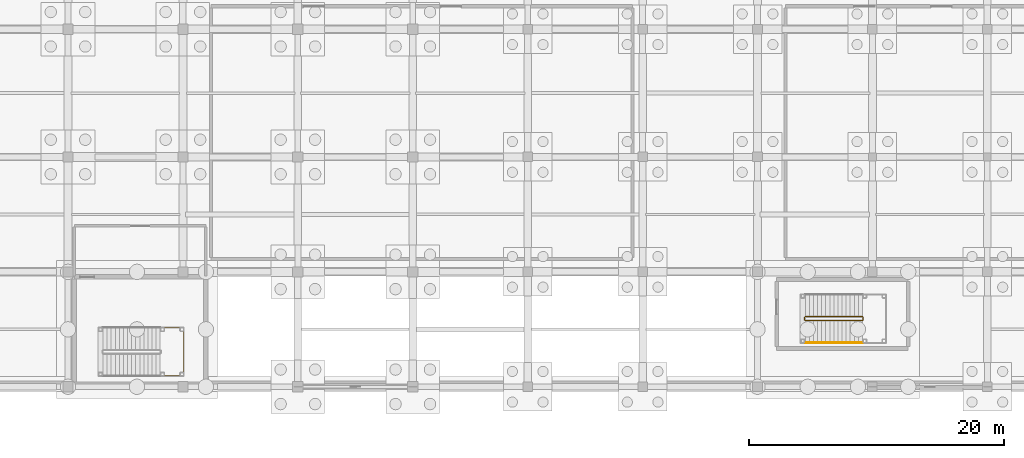
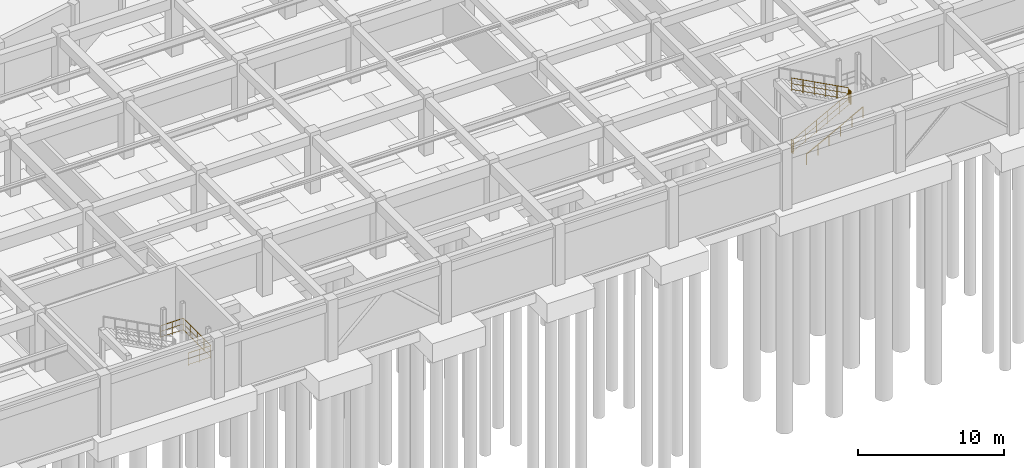
# One storey, part 54 of 62: 6 railings.
"""IFC4 building model written with IfcOpenShell, lengths in metres."""

from ifc_helpers import new_model, si_unit, direction, frame, origin, origin_2d, place, context, subcontext, project, spatial, circle, extrude, material, type_object, element, save


model = new_model("IFC4")

# Units and contexts
model_context = context("Model", 3, precision=1e-05, world=origin(), true_north=direction((0.0, 1.0)))
body_context = subcontext(model_context, "Body", "Model", "MODEL_VIEW")
ifc_project = project(units=[si_unit("LENGTHUNIT", "METRE"), si_unit("AREAUNIT", "SQUARE_METRE"), si_unit("VOLUMEUNIT", "CUBIC_METRE"), si_unit("PLANEANGLEUNIT", "RADIAN"), si_unit("MASSUNIT", "GRAM", prefix="KILO")], contexts=[model_context])

# Site, building, storey
site_placement = place(None, origin())
site = spatial("IfcSite", under=ifc_project, at=site_placement, CompositionType="ELEMENT")
building_placement = place(site_placement, origin())
building = spatial("IfcBuilding", under=site, at=building_placement, Name="Miravela Opera House", CompositionType="ELEMENT")
storey_placement = place(building_placement, frame((0.0, 0.0, -5.10009765625)))
storey = spatial("IfcBuildingStorey", under=building, at=storey_placement, Name="B01", CompositionType="ELEMENT", Elevation=-5.10009765625)

# Railings
ifc_material_1 = material(Name="Brushed bronze continuous stair handrail")
railing_type_1 = type_object("IfcRailingType", Name="ARC-RAIL-HAND-900", PredefinedType="HANDRAIL", material=ifc_material_1)
railing_1_placement = place(storey_placement, frame((120.739990234375, 3.449951171875, 0.170166015625)))
element("IfcRailing", 1, at=railing_1_placement, inside=storey, type_object=railing_type_1, Name="B01 ST-10 stair handrail 1", PredefinedType="HANDRAIL", context=body_context, shape_type="SweptSolid", body=[
    extrude(circle(Radius=0.02392578125, at=origin_2d()), frame((0.0, 0.0, 0.8759765625), z_axis=(0.883124442951, 0.0, 0.469138804899), x_axis=(0.0, 1.0, 0.0)), (0.0, 0.0, 1.0), 5.07275390625),
    extrude(circle(Radius=0.02099609375, at=origin_2d()), origin(), (0.0, 0.0, 1.0), 0.851806640625),
    extrude(circle(Radius=0.02099609375, at=origin_2d()), frame((0.89599609375, 0.0, 0.47607421875)), (0.0, 0.0, 1.0), 0.851806640625),
    extrude(circle(Radius=0.02099609375, at=origin_2d()), frame((1.7919921875, 0.0, 0.951904296875)), (0.0, 0.0, 1.0), 0.851806640625),
    extrude(circle(Radius=0.02099609375, at=origin_2d()), frame((2.68798828125, 0.0, 1.427978515625)), (0.0, 0.0, 1.0), 0.851806640625),
    extrude(circle(Radius=0.02099609375, at=origin_2d()), frame((3.583984375, 0.0, 1.90380859375)), (0.0, 0.0, 1.0), 0.851806640625),
    extrude(circle(Radius=0.02099609375, at=origin_2d()), frame((4.47998046875, 0.0, 2.3798828125)), (0.0, 0.0, 1.0), 0.851806640625),
])
ifc_material_2 = material(Name="Painted wrought-iron stair guardrail")
railing_type_2 = type_object("IfcRailingType", Name="ARC-RAIL-STAIR-GUARD", PredefinedType="GUARDRAIL", material=ifc_material_2)
railing_2_placement = place(storey_placement, frame((70.27001953125, 0.85009765625, 2.550048828125)))
element("IfcRailing", 2, at=railing_2_placement, inside=storey, type_object=railing_type_2, Name="Stair ST-06 Half-Landing Perimeter Guard (B01) 0059", PredefinedType="GUARDRAIL", context=body_context, shape_type="SweptSolid", body=[
    extrude(circle(Radius=0.02392578125, at=origin_2d()), frame((0.0, 0.0, 1.076171875), z_axis=(1.0, 0.0, 0.0), x_axis=(0.0, 1.0, 0.0)), (0.0, 0.0, 1.0), 1.780029296875),
    extrude(circle(Radius=0.01611328125, at=origin_2d()), frame((0.0, 0.0, 0.60498046875), z_axis=(1.0, 0.0, 0.0), x_axis=(0.0, 1.0, 0.0)), (0.0, 0.0, 1.0), 1.780029296875),
    extrude(circle(Radius=0.01611328125, at=origin_2d()), frame((0.0, 0.0, 0.1201171875), z_axis=(1.0, 0.0, 0.0), x_axis=(0.0, 1.0, 0.0)), (0.0, 0.0, 1.0), 1.780029296875),
    extrude(circle(Radius=0.02392578125, at=origin_2d()), frame((1.780029296875, 0.0, 1.076171875), z_axis=(0.0, 1.0, 0.0), x_axis=(-1.0, 0.0, 0.0)), (0.0, 0.0, 1.0), 3.77978515625),
    extrude(circle(Radius=0.01611328125, at=origin_2d()), frame((1.780029296875, 0.0, 0.60498046875), z_axis=(0.0, 1.0, 0.0), x_axis=(-1.0, 0.0, 0.0)), (0.0, 0.0, 1.0), 3.77978515625),
    extrude(circle(Radius=0.01611328125, at=origin_2d()), frame((1.780029296875, 0.0, 0.1201171875), z_axis=(0.0, 1.0, 0.0), x_axis=(-1.0, 0.0, 0.0)), (0.0, 0.0, 1.0), 3.77978515625),
    extrude(circle(Radius=0.02392578125, at=origin_2d()), frame((1.780029296875, 3.77978515625, 1.076171875), z_axis=(-1.0, 0.0, 0.0), x_axis=(0.0, -1.0, 0.0)), (0.0, 0.0, 1.0), 1.780029296875),
    extrude(circle(Radius=0.01611328125, at=origin_2d()), frame((1.780029296875, 3.77978515625, 0.60498046875), z_axis=(-1.0, 0.0, 0.0), x_axis=(0.0, -1.0, 0.0)), (0.0, 0.0, 1.0), 1.780029296875),
    extrude(circle(Radius=0.01611328125, at=origin_2d()), frame((1.780029296875, 3.77978515625, 0.1201171875), z_axis=(-1.0, 0.0, 0.0), x_axis=(0.0, -1.0, 0.0)), (0.0, 0.0, 1.0), 1.780029296875),
    extrude(circle(Radius=0.02099609375, at=origin_2d()), origin(), (0.0, 0.0, 1.0), 1.052001953125),
    extrude(circle(Radius=0.02099609375, at=origin_2d()), frame((0.89013671875, 0.0, 0.0)), (0.0, 0.0, 1.0), 1.052001953125),
    extrude(circle(Radius=0.02099609375, at=origin_2d()), frame((1.780029296875, 0.0, 0.0)), (0.0, 0.0, 1.0), 1.052001953125),
    extrude(circle(Radius=0.02099609375, at=origin_2d()), frame((1.780029296875, 0.94482421875, 0.0)), (0.0, 0.0, 1.0), 1.052001953125),
    extrude(circle(Radius=0.02099609375, at=origin_2d()), frame((1.780029296875, 1.889892578125, 0.0)), (0.0, 0.0, 1.0), 1.052001953125),
    extrude(circle(Radius=0.02099609375, at=origin_2d()), frame((1.780029296875, 2.8349609375, 0.0)), (0.0, 0.0, 1.0), 1.052001953125),
    extrude(circle(Radius=0.02099609375, at=origin_2d()), frame((1.780029296875, 3.77978515625, 0.0)), (0.0, 0.0, 1.0), 1.052001953125),
    extrude(circle(Radius=0.02099609375, at=origin_2d()), frame((0.89013671875, 3.77978515625, 0.0)), (0.0, 0.0, 1.0), 1.052001953125),
    extrude(circle(Radius=0.02099609375, at=origin_2d()), frame((0.0, 3.77978515625, 0.0)), (0.0, 0.0, 1.0), 1.052001953125),
])
railing_3_placement = place(storey_placement, frame((120.739990234375, 5.18994140625, 0.170166015625)))
element("IfcRailing", 3, at=railing_3_placement, inside=storey, type_object=railing_type_2, Name="B01 ST-10 stair guard 1", PredefinedType="GUARDRAIL", context=body_context, shape_type="SweptSolid", body=[
    extrude(circle(Radius=0.02392578125, at=origin_2d()), frame((0.0, 0.0, 1.076171875), z_axis=(0.883124442951, 0.0, 0.469138804899), x_axis=(0.0, 1.0, 0.0)), (0.0, 0.0, 1.0), 5.07275390625),
    extrude(circle(Radius=0.01611328125, at=origin_2d()), frame((0.0, 0.0, 0.60498046875), z_axis=(0.883124442951, 0.0, 0.469138804899), x_axis=(0.0, 1.0, 0.0)), (0.0, 0.0, 1.0), 5.07275390625),
    extrude(circle(Radius=0.01611328125, at=origin_2d()), frame((0.0, 0.0, 0.1201171875), z_axis=(0.883124442951, 0.0, 0.469138804899), x_axis=(0.0, 1.0, 0.0)), (0.0, 0.0, 1.0), 5.07275390625),
    extrude(circle(Radius=0.02099609375, at=origin_2d()), origin(), (0.0, 0.0, 1.0), 1.052001953125),
    extrude(circle(Radius=0.02099609375, at=origin_2d()), frame((0.89599609375, 0.0, 0.47607421875)), (0.0, 0.0, 1.0), 1.052001953125),
    extrude(circle(Radius=0.02099609375, at=origin_2d()), frame((1.7919921875, 0.0, 0.951904296875)), (0.0, 0.0, 1.0), 1.052001953125),
    extrude(circle(Radius=0.02099609375, at=origin_2d()), frame((2.68798828125, 0.0, 1.427978515625)), (0.0, 0.0, 1.0), 1.052001953125),
    extrude(circle(Radius=0.02099609375, at=origin_2d()), frame((3.583984375, 0.0, 1.90380859375)), (0.0, 0.0, 1.0), 1.052001953125),
    extrude(circle(Radius=0.02099609375, at=origin_2d()), frame((4.47998046875, 0.0, 2.3798828125)), (0.0, 0.0, 1.0), 1.052001953125),
])
railing_4_placement = place(storey_placement, frame((125.27001953125, 5.239990234375, 2.550048828125)))
element("IfcRailing", 4, at=railing_4_placement, inside=storey, type_object=railing_type_2, Name="B01 ST-10 stair guard 2", PredefinedType="GUARDRAIL", context=body_context, shape_type="SweptSolid", body=[
    extrude(circle(Radius=0.02392578125, at=origin_2d()), frame((0.0, 0.0, 1.076171875), z_axis=(0.0, 1.0, 0.0), x_axis=(-1.0, 0.0, 0.0)), (0.0, 0.0, 1.0), 0.199951171875),
    extrude(circle(Radius=0.01611328125, at=origin_2d()), frame((0.0, 0.0, 0.60498046875), z_axis=(0.0, 1.0, 0.0), x_axis=(-1.0, 0.0, 0.0)), (0.0, 0.0, 1.0), 0.199951171875),
    extrude(circle(Radius=0.01611328125, at=origin_2d()), frame((0.0, 0.0, 0.1201171875), z_axis=(0.0, 1.0, 0.0), x_axis=(-1.0, 0.0, 0.0)), (0.0, 0.0, 1.0), 0.199951171875),
    extrude(circle(Radius=0.02099609375, at=origin_2d()), origin(), (0.0, 0.0, 1.0), 1.052001953125),
    extrude(circle(Radius=0.02099609375, at=origin_2d()), frame((0.0, 0.199951171875, 0.0)), (0.0, 0.0, 1.0), 1.052001953125),
])
railing_5_placement = place(storey_placement, frame((125.219970703125, 5.489990234375, 2.72021484375)))
element("IfcRailing", 5, at=railing_5_placement, inside=storey, type_object=railing_type_2, Name="B01 ST-10 stair guard 3", PredefinedType="GUARDRAIL", context=body_context, shape_type="SweptSolid", body=[
    extrude(circle(Radius=0.02392578125, at=origin_2d()), frame((0.0, 0.0, 1.076171875), z_axis=(-0.883124442951, 0.0, 0.469138804899), x_axis=(0.0, -1.0, 0.0)), (0.0, 0.0, 1.0), 5.07275390625),
    extrude(circle(Radius=0.01611328125, at=origin_2d()), frame((0.0, 0.0, 0.60498046875), z_axis=(-0.883124442951, 0.0, 0.469138804899), x_axis=(0.0, -1.0, 0.0)), (0.0, 0.0, 1.0), 5.07275390625),
    extrude(circle(Radius=0.01611328125, at=origin_2d()), frame((0.0, 0.0, 0.1201171875), z_axis=(-0.883124442951, 0.0, 0.469138804899), x_axis=(0.0, -1.0, 0.0)), (0.0, 0.0, 1.0), 5.07275390625),
    extrude(circle(Radius=0.02099609375, at=origin_2d()), origin(), (0.0, 0.0, 1.0), 1.052001953125),
    extrude(circle(Radius=0.02099609375, at=origin_2d()), frame((-0.89599609375, 0.0, 0.47607421875)), (0.0, 0.0, 1.0), 1.052001953125),
    extrude(circle(Radius=0.02099609375, at=origin_2d()), frame((-1.7919921875, 0.0, 0.951904296875)), (0.0, 0.0, 1.0), 1.052001953125),
    extrude(circle(Radius=0.02099609375, at=origin_2d()), frame((-2.68798828125, 0.0, 1.427978515625)), (0.0, 0.0, 1.0), 1.052001953125),
    extrude(circle(Radius=0.02099609375, at=origin_2d()), frame((-3.583984375, 0.0, 1.90380859375)), (0.0, 0.0, 1.0), 1.052001953125),
    extrude(circle(Radius=0.02099609375, at=origin_2d()), frame((-4.47998046875, 0.0, 2.3798828125)), (0.0, 0.0, 1.0), 1.052001953125),
])
railing_6_placement = place(storey_placement, frame((120.68994140625, 5.239990234375, 0.0)))
element("IfcRailing", 6, at=railing_6_placement, inside=storey, type_object=railing_type_2, Name="B01 ST-10 stair guard 4", PredefinedType="GUARDRAIL", context=body_context, shape_type="SweptSolid", body=[
    extrude(circle(Radius=0.02392578125, at=origin_2d()), frame((0.0, 0.0, 1.076171875), z_axis=(0.0, 1.0, 0.0), x_axis=(-1.0, 0.0, 0.0)), (0.0, 0.0, 1.0), 0.199951171875),
    extrude(circle(Radius=0.01611328125, at=origin_2d()), frame((0.0, 0.0, 0.60498046875), z_axis=(0.0, 1.0, 0.0), x_axis=(-1.0, 0.0, 0.0)), (0.0, 0.0, 1.0), 0.199951171875),
    extrude(circle(Radius=0.01611328125, at=origin_2d()), frame((0.0, 0.0, 0.1201171875), z_axis=(0.0, 1.0, 0.0), x_axis=(-1.0, 0.0, 0.0)), (0.0, 0.0, 1.0), 0.199951171875),
    extrude(circle(Radius=0.02099609375, at=origin_2d()), origin(), (0.0, 0.0, 1.0), 1.052001953125),
    extrude(circle(Radius=0.02099609375, at=origin_2d()), frame((0.0, 0.199951171875, 0.0)), (0.0, 0.0, 1.0), 1.052001953125),
])

save(model, "model.ifc")
